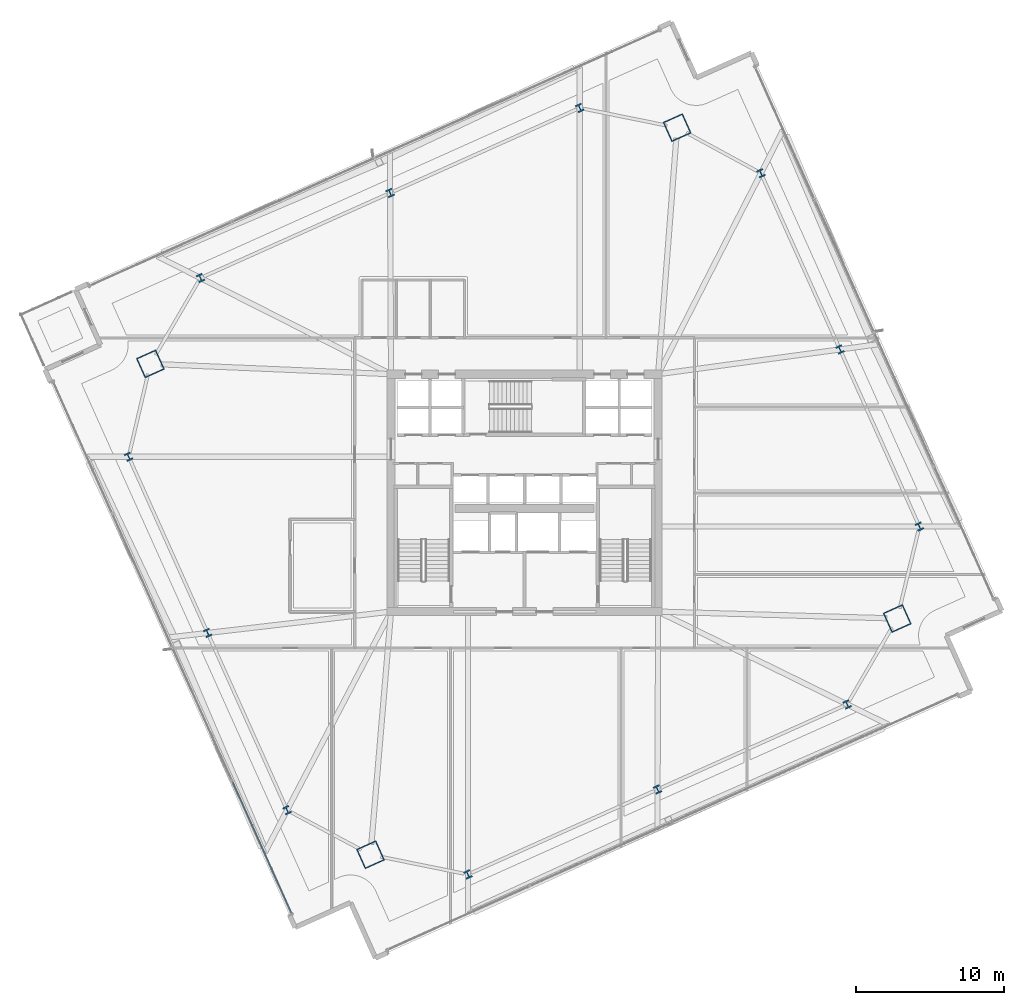
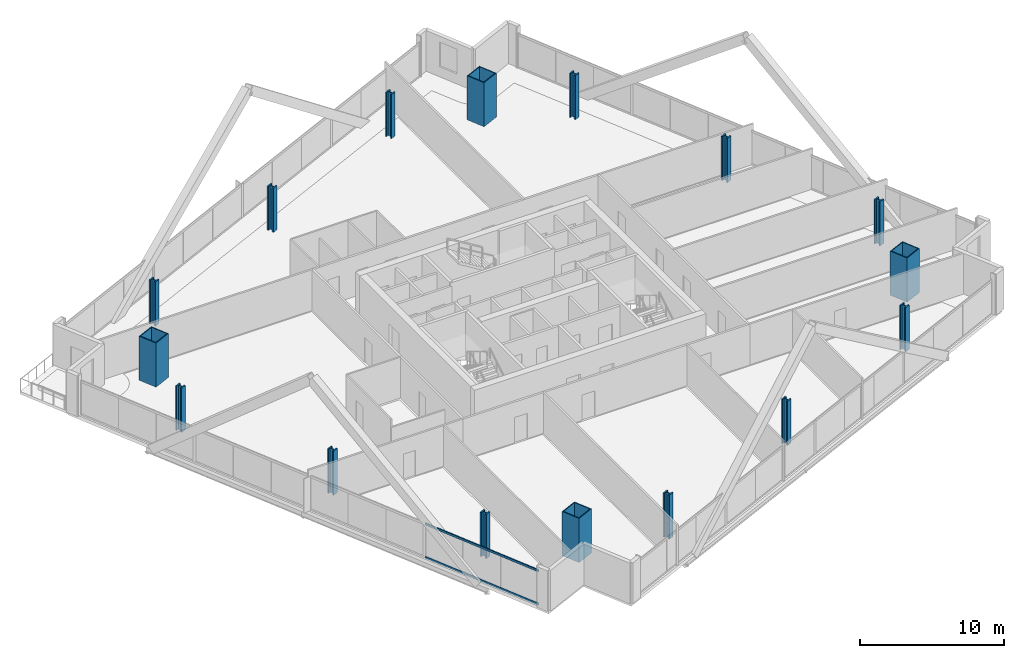
# One storey, part 1 of 38: 16 columns, 2 members, 1 element without a shape of its own.
"""IFC4 building model written with IfcOpenShell, lengths in metres."""

from ifc_helpers import new_model, si_unit, direction, frame, origin, origin_2d, place, context, subcontext, project, spatial, hollow_rectangle, i_section, extrude, material, material_profile, profile_set, type_object, element, aggregate, save


model = new_model("IFC4")

# Units and contexts
model_context = context("Model", 3, precision=1e-05, world=origin(), true_north=direction((0.0, 1.0)))
body_context = subcontext(model_context, "Body", "Model", "MODEL_VIEW")
ifc_project = project(units=[si_unit("LENGTHUNIT", "METRE"), si_unit("AREAUNIT", "SQUARE_METRE"), si_unit("VOLUMEUNIT", "CUBIC_METRE"), si_unit("PLANEANGLEUNIT", "RADIAN"), si_unit("MASSUNIT", "GRAM", prefix="KILO")], contexts=[model_context])

# Site, building, storey
site_placement = place(None, origin())
site = spatial("IfcSite", under=ifc_project, at=site_placement, CompositionType="ELEMENT")
building_placement = place(site_placement, origin())
building = spatial("IfcBuilding", under=site, at=building_placement, Name="Haldenkirk Collegiate Tower", CompositionType="ELEMENT")
storey_placement = place(building_placement, frame((0.0, 0.0, 109.199951171875)))
storey = spatial("IfcBuildingStorey", under=building, at=storey_placement, Name="L26", CompositionType="ELEMENT", Elevation=109.199951171875)

# Columns
ifc_material_1 = material(Name="Steel ASTM A913 Grade 65", Category="steel")
ifc_material_profile_1 = material_profile(ifc_material_1, i_section(OverallWidth=0.44189453125, OverallDepth=0.531005859375, WebThickness=0.06591796875, FlangeThickness=0.105712890625, at=origin_2d()), Name="W14X605")
ifc_profile_set_1 = profile_set([ifc_material_profile_1], Name="Steel ASTM A913 Grade 65")
column_type_1 = type_object("IfcColumnType", Name="COL-INT-W14X605", PredefinedType="COLUMN", material=ifc_profile_set_1)
for number, where, z_axis, x_axis, name in (
    (1, (32.181396484375, 0.287353515625, 0.0), (0.0, 0.0, 1.0), (0.912477494148, 0.409126902895, 0.0), "L26 perimeter gravity column PC-S1"),
    (2, (44.9599609375, 6.0166015625, 0.0), (0.0, 0.0, 1.0), (0.912477494148, 0.409126902895, 0.0), "L26 perimeter gravity column PC-S2"),
    (3, (57.73828125, 11.74609375, 0.0), (0.0, 0.0, 1.0), (0.912477494148, 0.409126902895, 0.0), "L26 perimeter gravity column PC-S3"),
    (4, (62.608642578125, 23.727294921875, 0.0), (0.0, 0.0, 1.0), (0.912477494148, 0.409126902895, 0.0), "L26 perimeter gravity column PC-E1"),
    (5, (57.255126953125, 35.667236328125, 0.0), (0.0, 0.0, 1.0), (0.912477494148, 0.409126902895, 0.0), "L26 perimeter gravity column PC-E2"),
    (6, (51.930419921875, 47.543212890625, 0.0), (0.0, 0.0, 1.0), (0.912477494148, 0.409126902895, 0.0), "L26 perimeter gravity column PC-E3"),
    (7, (39.71630859375, 51.94091796875, 0.0), (0.0, 0.0, 1.0), (0.912477494148, 0.409126902895, 0.0), "L26 perimeter gravity column PC-N1"),
    (8, (26.937744140625, 46.21142578125, 0.0), (0.0, 0.0, 1.0), (0.912477494148, 0.409126902895, 0.0), "L26 perimeter gravity column PC-N2"),
    (9, (14.159423828125, 40.48193359375, 0.0), (0.0, 0.0, 1.0), (0.912477494148, 0.409126902895, 0.0), "L26 perimeter gravity column PC-N3"),
    (10, (9.317626953125, 28.436767578125, 0.0), (0.0, 0.0, 1.0), (0.912477494148, 0.409126902895, 0.0), "L26 perimeter gravity column PC-W1"),
    (11, (14.642578125, 16.560791015625, 0.0), (0.0, 0.0, 1.0), (0.912477494148, 0.409126902895, 0.0), "L26 perimeter gravity column PC-W2"),
    (12, (19.995849609375, 4.62109375, 0.0), (0.0, 0.0, 1.0), (0.912477494148, 0.409126902895, 0.0), "L26 perimeter gravity column PC-W3"),
):
    element("IfcColumn", number, at=place(storey_placement, frame(where, z_axis=z_axis, x_axis=x_axis)), inside=storey, type_object=column_type_1, Name=name, PredefinedType="COLUMN", context=body_context, shape_type="SweptSolid", body=[
        extrude(i_section(OverallWidth=0.44189453125, OverallDepth=0.531005859375, WebThickness=0.06591796875, FlangeThickness=0.105712890625, at=origin_2d()), origin(), (0.0, 0.0, 1.0), 3.75),
    ])
ifc_material_2 = material(Name="Steel ASTM A572 Grade 50", Category="steel")
ifc_material_profile_2 = material_profile(ifc_material_2, hollow_rectangle(XDim=1.449951171875, YDim=1.449951171875, WallThickness=0.070068359375, at=origin_2d()), Name="BOX1450X1450X70")
ifc_profile_set_2 = profile_set([ifc_material_profile_2], Name="Steel ASTM A572 Grade 50")
column_type_2 = type_object("IfcColumnType", Name="COL-MEGA-BOX1450X1450X70", PredefinedType="COLUMN", material=ifc_profile_set_2)
for number, where, z_axis, x_axis, name in (
    (13, (25.61669921875, 1.617919921875, 0.0), (0.0, 0.0, 1.0), (0.912477494148, 0.409126902895, 0.0), "L26 corner mega-column MC1"),
    (14, (61.112060546875, 17.532958984375, 0.0), (0.0, 0.0, 1.0), (0.912477494148, 0.409126902895, 0.0), "L26 corner mega-column MC2"),
    (15, (46.281005859375, 50.610107421875, 0.0), (0.0, 0.0, 1.0), (0.912477494148, 0.409126902895, 0.0), "L26 corner mega-column MC3"),
    (16, (10.78564453125, 34.6953125, 0.0), (0.0, 0.0, 1.0), (0.912477494148, 0.409126902895, 0.0), "L26 corner mega-column MC4"),
):
    element("IfcColumn", number, at=place(storey_placement, frame(where, z_axis=z_axis, x_axis=x_axis)), inside=storey, type_object=column_type_2, Name=name, PredefinedType="COLUMN", context=body_context, shape_type="SweptSolid", body=[
        extrude(hollow_rectangle(XDim=1.449951171875, YDim=1.449951171875, WallThickness=0.070068359375, at=origin_2d()), origin(), (0.0, 0.0, 1.0), 3.75),
    ])

# Curtain wall, members
ifc_material_3 = material(Name="Anodised architectural bronze aluminium", Category="aluminium")
curtain_wall_type = type_object("IfcCurtainWallType", Name="CW-SYS1-CONVEX-LOW", PredefinedType="USERDEFINED", material=ifc_material_3)
curtain_wall_placement = place(storey_placement, origin())
curtain_wall = element("IfcCurtainWall", 17, at=curtain_wall_placement, inside=storey, type_object=curtain_wall_type, Name="L26 Lower tower convex bronze-framed unitised curtain wall", ObjectType="UNITISED CURTAIN WALL", PredefinedType="USERDEFINED")
ifc_material_profile_3 = material_profile(ifc_material_3, hollow_rectangle(XDim=0.080078125, YDim=0.179931640625, WallThickness=0.0048828125, at=origin_2d()), Name="CW-TRN-1A")
ifc_profile_set_3 = profile_set([ifc_material_profile_3], Name="Anodised architectural bronze aluminium")
member_type = type_object("IfcMemberType", Name="CW-TRN-1A", PredefinedType="USERDEFINED", material=ifc_profile_set_3)
member_1_placement = place(storey_placement, frame((20.293701171875, -2.324951171875, 0.0400390625), z_axis=(-0.409118582448, 0.912481224736, 0.0), x_axis=(-0.912481224736, -0.409118582448, 0.0)))
member_1 = element("IfcMember", 18, at=member_1_placement, type_object=member_type, Name="CW-1A transom 1.1", ObjectType="TRANSOM", PredefinedType="USERDEFINED", context=body_context, shape_type="SweptSolid", body=[
    extrude(hollow_rectangle(XDim=0.080078125, YDim=0.179931640625, WallThickness=0.0048828125, at=origin_2d()), origin(), (0.0, 0.0, 1.0), 9.72998046875),
])
member_2_placement = place(storey_placement, frame((20.293701171875, -2.324951171875, 2.861083984375), z_axis=(-0.409118582448, 0.912481224736, 0.0), x_axis=(-0.912481224736, -0.409118582448, 0.0)))
member_2 = element("IfcMember", 19, at=member_2_placement, type_object=member_type, Name="CW-1A transom 1.2", ObjectType="TRANSOM", PredefinedType="USERDEFINED", context=body_context, shape_type="SweptSolid", body=[
    extrude(hollow_rectangle(XDim=0.080078125, YDim=0.179931640625, WallThickness=0.0048828125, at=origin_2d()), origin(), (0.0, 0.0, 1.0), 9.72998046875),
])
aggregate(curtain_wall, [member_1, member_2])

save(model, "model.ifc")
